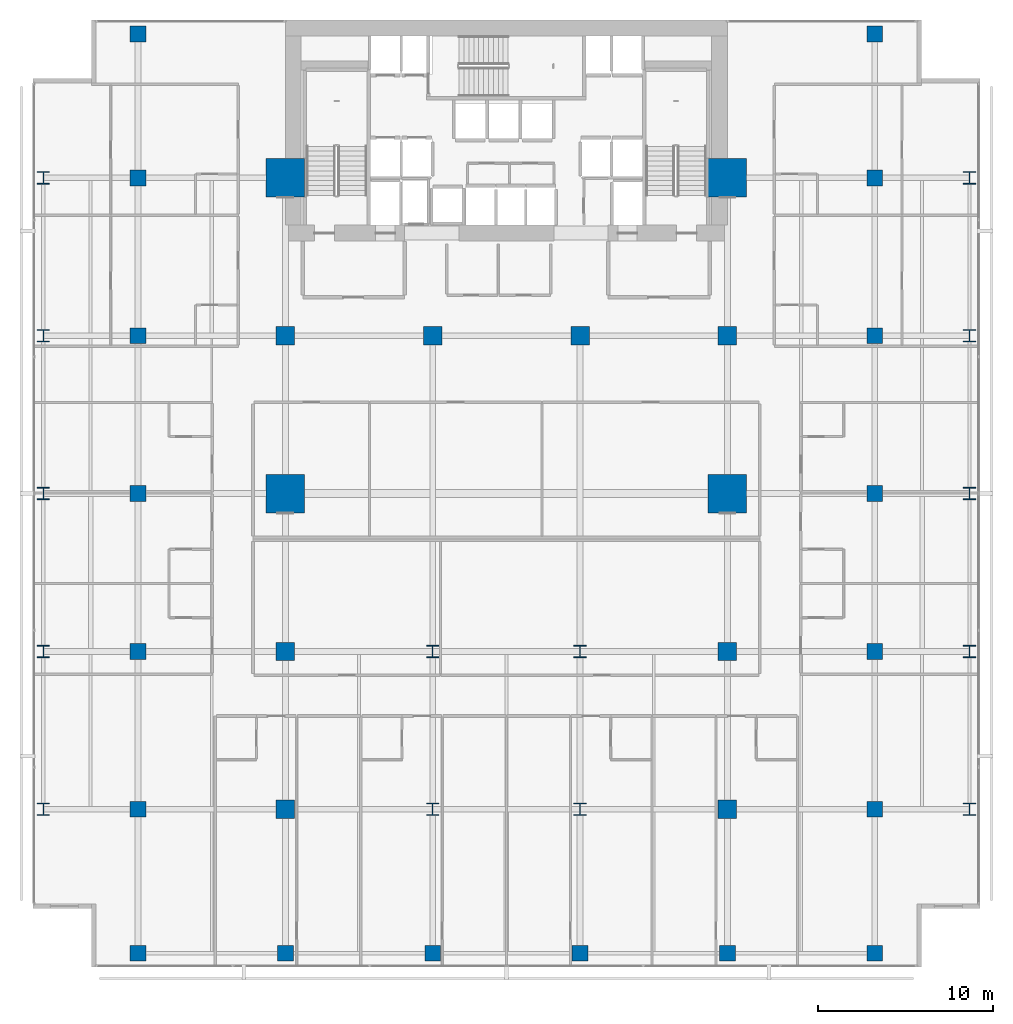
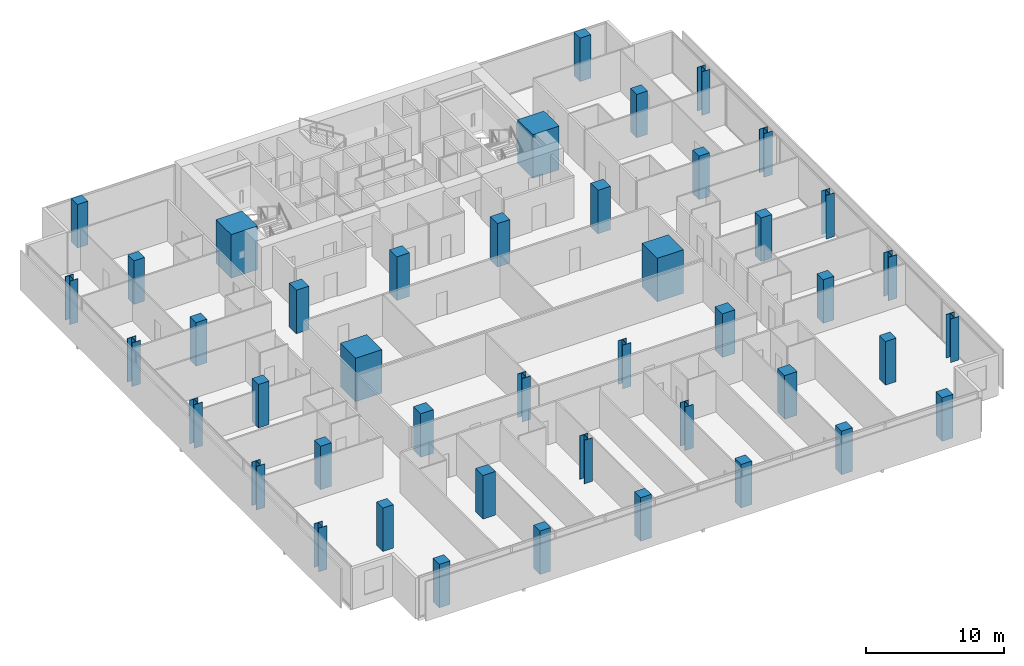
# One storey, part 1 of 40: 44 columns.
"""IFC4 building model written with IfcOpenShell, lengths in metres."""

from ifc_helpers import new_model, si_unit, direction, frame, origin, origin_2d, place, context, subcontext, project, spatial, rectangle, i_section, extrude, material, material_profile, profile_set, type_object, element, save


model = new_model("IFC4")

# Units and contexts
model_context = context("Model", 3, precision=1e-05, world=origin(), true_north=direction((0.0, 1.0)))
body_context = subcontext(model_context, "Body", "Model", "MODEL_VIEW")
ifc_project = project(units=[si_unit("LENGTHUNIT", "METRE"), si_unit("AREAUNIT", "SQUARE_METRE"), si_unit("VOLUMEUNIT", "CUBIC_METRE"), si_unit("PLANEANGLEUNIT", "RADIAN"), si_unit("MASSUNIT", "GRAM", prefix="KILO")], contexts=[model_context])

# Site, building, storey
site_placement = place(None, origin())
site = spatial("IfcSite", under=ifc_project, at=site_placement, CompositionType="ELEMENT")
building_placement = place(site_placement, origin())
building = spatial("IfcBuilding", under=site, at=building_placement, Name="Maruvema Waterfront Hotel and Observation Tower", CompositionType="ELEMENT")
storey_placement = place(building_placement, frame((0.0, 0.0, 50.050048828125)))
storey = spatial("IfcBuildingStorey", under=building, at=storey_placement, Name="L11", CompositionType="ELEMENT", Elevation=50.050048828125)

# Columns
ifc_material_1 = material(Name="Concrete C80/95", Category="concrete")
ifc_material_profile_1 = material_profile(ifc_material_1, rectangle(XDim=2.199951171875, YDim=2.199951171875, at=origin_2d()), Name="MC2200x2200")
ifc_profile_set_1 = profile_set([ifc_material_profile_1], Name="Concrete C80/95")
column_type_1 = type_object("IfcColumnType", Name="Continuous Mega-Column MC2200x2200", PredefinedType="COLUMN", material=ifc_profile_set_1)
for number, where, z_axis, x_axis, name in (
    (1, (25.199951171875, 27.0, 0.0), (0.0, 0.0, 1.0), (1.0, 0.0, 0.0), "L11 Continuous Mega-Column MC-01"),
    (2, (50.39990234375, 27.0, 0.0), (0.0, 0.0, 1.0), (1.0, 0.0, 0.0), "L11 Continuous Mega-Column MC-02"),
    (3, (25.199951171875, 45.0, 0.0), (0.0, 0.0, 1.0), (1.0, 0.0, 0.0), "L11 Continuous Mega-Column MC-03"),
    (4, (50.39990234375, 45.0, 0.0), (0.0, 0.0, 1.0), (1.0, 0.0, 0.0), "L11 Continuous Mega-Column MC-04"),
):
    element("IfcColumn", number, at=place(storey_placement, frame(where, z_axis=z_axis, x_axis=x_axis)), inside=storey, type_object=column_type_1, Name=name, PredefinedType="COLUMN", context=body_context, shape_type="SweptSolid", body=[
        extrude(rectangle(XDim=2.199951171875, YDim=2.199951171875, at=origin_2d()), origin(), (0.0, 0.0, 1.0), 3.849853515625),
    ])
ifc_material_2 = material(Name="Concrete C60/75", Category="concrete")
ifc_material_profile_2 = material_profile(ifc_material_2, rectangle(XDim=1.050048828125, YDim=1.050048828125, at=origin_2d()), Name="RC1050x1050")
ifc_profile_set_2 = profile_set([ifc_material_profile_2], Name="Concrete C60/75")
column_type_2 = type_object("IfcColumnType", Name="Reinforced Concrete Column RC1050x1050", PredefinedType="COLUMN", material=ifc_profile_set_2)
for number, where, z_axis, x_axis, name in (
    (5, (25.199951171875, 36.0, 0.0), (0.0, 0.0, 1.0), (1.0, 0.0, 0.0), "L11 Column C-4E"),
    (6, (33.60009765625, 36.0, 0.0), (0.0, 0.0, 1.0), (1.0, 0.0, 0.0), "L11 Column C-5E"),
    (7, (42.0, 36.0, 0.0), (0.0, 0.0, 1.0), (1.0, 0.0, 0.0), "L11 Column C-6E"),
    (8, (50.39990234375, 36.0, 0.0), (0.0, 0.0, 1.0), (1.0, 0.0, 0.0), "L11 Column C-7E"),
    (9, (25.199951171875, 18.0, 0.0), (0.0, 0.0, 1.0), (1.0, 0.0, 0.0), "L11 Column C-4C"),
    (10, (50.39990234375, 18.0, 0.0), (0.0, 0.0, 1.0), (1.0, 0.0, 0.0), "L11 Column C-7C"),
    (11, (25.199951171875, 9.0, 0.0), (0.0, 0.0, 1.0), (1.0, 0.0, 0.0), "L11 Column C-4B"),
    (12, (50.39990234375, 9.0, 0.0), (0.0, 0.0, 1.0), (1.0, 0.0, 0.0), "L11 Column C-7B"),
):
    element("IfcColumn", number, at=place(storey_placement, frame(where, z_axis=z_axis, x_axis=x_axis)), inside=storey, type_object=column_type_2, Name=name, PredefinedType="COLUMN", context=body_context, shape_type="SweptSolid", body=[
        extrude(rectangle(XDim=1.050048828125, YDim=1.050048828125, at=origin_2d()), origin(), (0.0, 0.0, 1.0), 3.849853515625),
    ])
ifc_material_3 = material(Name="Concrete C60/75", Category="concrete")
ifc_material_profile_3 = material_profile(ifc_material_3, rectangle(XDim=0.89990234375, YDim=0.89990234375, at=origin_2d()), Name="RC900x900")
ifc_profile_set_3 = profile_set([ifc_material_profile_3], Name="Concrete C60/75")
column_type_3 = type_object("IfcColumnType", Name="Reinforced Concrete Column RC900x900", PredefinedType="COLUMN", material=ifc_profile_set_3)
for number, where, z_axis, x_axis, name in (
    (13, (16.800048828125, 9.0, 0.0), (0.0, 0.0, 1.0), (1.0, 0.0, 0.0), "L11 Column C-3Y9"),
    (14, (58.800048828125, 9.0, 0.0), (0.0, 0.0, 1.0), (1.0, 0.0, 0.0), "L11 Column C-8Y9"),
    (15, (16.800048828125, 18.0, 0.0), (0.0, 0.0, 1.0), (1.0, 0.0, 0.0), "L11 Column C-3Y18"),
    (16, (58.800048828125, 18.0, 0.0), (0.0, 0.0, 1.0), (1.0, 0.0, 0.0), "L11 Column C-8Y18"),
    (17, (16.800048828125, 27.0, 0.0), (0.0, 0.0, 1.0), (1.0, 0.0, 0.0), "L11 Column C-3Y27"),
    (18, (58.800048828125, 27.0, 0.0), (0.0, 0.0, 1.0), (1.0, 0.0, 0.0), "L11 Column C-8Y27"),
    (19, (16.800048828125, 36.0, 0.0), (0.0, 0.0, 1.0), (1.0, 0.0, 0.0), "L11 Column C-3Y36"),
    (20, (58.800048828125, 36.0, 0.0), (0.0, 0.0, 1.0), (1.0, 0.0, 0.0), "L11 Column C-8Y36"),
    (21, (16.800048828125, 45.0, 0.0), (0.0, 0.0, 1.0), (1.0, 0.0, 0.0), "L11 Column C-3Y45"),
    (22, (58.800048828125, 45.0, 0.0), (0.0, 0.0, 1.0), (1.0, 0.0, 0.0), "L11 Column C-8Y45"),
    (23, (16.800048828125, 0.800048828125, 0.0), (0.0, 0.0, 1.0), (1.0, 0.0, 0.0), "L11 Column C-3A"),
    (24, (25.199951171875, 0.800048828125, 0.0), (0.0, 0.0, 1.0), (1.0, 0.0, 0.0), "L11 Column C-4A"),
    (25, (33.60009765625, 0.800048828125, 0.0), (0.0, 0.0, 1.0), (1.0, 0.0, 0.0), "L11 Column C-5A"),
    (26, (42.0, 0.800048828125, 0.0), (0.0, 0.0, 1.0), (1.0, 0.0, 0.0), "L11 Column C-6A"),
    (27, (50.39990234375, 0.800048828125, 0.0), (0.0, 0.0, 1.0), (1.0, 0.0, 0.0), "L11 Column C-7A"),
    (28, (58.800048828125, 0.800048828125, 0.0), (0.0, 0.0, 1.0), (1.0, 0.0, 0.0), "L11 Column C-8A"),
    (29, (16.800048828125, 53.199951171875, 0.0), (0.0, 0.0, 1.0), (1.0, 0.0, 0.0), "L11 Column C-3G"),
    (30, (58.800048828125, 53.199951171875, 0.0), (0.0, 0.0, 1.0), (1.0, 0.0, 0.0), "L11 Column C-8G"),
):
    element("IfcColumn", number, at=place(storey_placement, frame(where, z_axis=z_axis, x_axis=x_axis)), inside=storey, type_object=column_type_3, Name=name, PredefinedType="COLUMN", context=body_context, shape_type="SweptSolid", body=[
        extrude(rectangle(XDim=0.89990234375, YDim=0.89990234375, at=origin_2d()), origin(), (0.0, 0.0, 1.0), 3.849853515625),
    ])
ifc_material_4 = material(Name="Steel ABNT NBR 7007 AR 415 (ASTM A572 Grade 50)", Category="steel")
ifc_material_profile_4 = material_profile(ifc_material_4, i_section(OverallWidth=0.699951171875, OverallDepth=0.699951171875, WebThickness=0.028076171875, FlangeThickness=0.0439453125, at=origin_2d()), Name="CVS700x436")
ifc_profile_set_4 = profile_set([ifc_material_profile_4], Name="Steel ABNT NBR 7007 AR 415 (ASTM A572 Grade 50)")
column_type_4 = type_object("IfcColumnType", Name="Structural Steel Column CVS700x436", PredefinedType="COLUMN", material=ifc_profile_set_4)
for number, where, z_axis, x_axis, name in (
    (31, (33.60009765625, 9.0, 0.0), (0.0, 0.0, 1.0), (1.0, 0.0, 0.0), "L11 Column C-5B"),
    (32, (42.0, 9.0, 0.0), (0.0, 0.0, 1.0), (1.0, 0.0, 0.0), "L11 Column C-6B"),
    (33, (33.60009765625, 18.0, 0.0), (0.0, 0.0, 1.0), (1.0, 0.0, 0.0), "L11 Column C-5C"),
    (34, (42.0, 18.0, 0.0), (0.0, 0.0, 1.0), (1.0, 0.0, 0.0), "L11 Column C-6C"),
    (35, (11.39990234375, 9.0, 0.0), (0.0, 0.0, 1.0), (1.0, 0.0, 0.0), "L11 Column C-Z1W9"),
    (36, (64.199951171875, 9.0, 0.0), (0.0, 0.0, 1.0), (1.0, 0.0, 0.0), "L11 Column C-Z1E9"),
    (37, (11.39990234375, 18.0, 0.0), (0.0, 0.0, 1.0), (1.0, 0.0, 0.0), "L11 Column C-Z1W18"),
    (38, (64.199951171875, 18.0, 0.0), (0.0, 0.0, 1.0), (1.0, 0.0, 0.0), "L11 Column C-Z1E18"),
    (39, (11.39990234375, 27.0, 0.0), (0.0, 0.0, 1.0), (1.0, 0.0, 0.0), "L11 Column C-Z1W27"),
    (40, (64.199951171875, 27.0, 0.0), (0.0, 0.0, 1.0), (1.0, 0.0, 0.0), "L11 Column C-Z1E27"),
    (41, (11.39990234375, 36.0, 0.0), (0.0, 0.0, 1.0), (1.0, 0.0, 0.0), "L11 Column C-Z1W36"),
    (42, (64.199951171875, 36.0, 0.0), (0.0, 0.0, 1.0), (1.0, 0.0, 0.0), "L11 Column C-Z1E36"),
    (43, (11.39990234375, 45.0, 0.0), (0.0, 0.0, 1.0), (1.0, 0.0, 0.0), "L11 Column C-Z1W45"),
    (44, (64.199951171875, 45.0, 0.0), (0.0, 0.0, 1.0), (1.0, 0.0, 0.0), "L11 Column C-Z1E45"),
):
    element("IfcColumn", number, at=place(storey_placement, frame(where, z_axis=z_axis, x_axis=x_axis)), inside=storey, type_object=column_type_4, Name=name, PredefinedType="COLUMN", context=body_context, shape_type="SweptSolid", body=[
        extrude(i_section(OverallWidth=0.699951171875, OverallDepth=0.699951171875, WebThickness=0.028076171875, FlangeThickness=0.0439453125, at=origin_2d()), origin(), (0.0, 0.0, 1.0), 3.849853515625),
    ])

save(model, "model.ifc")
